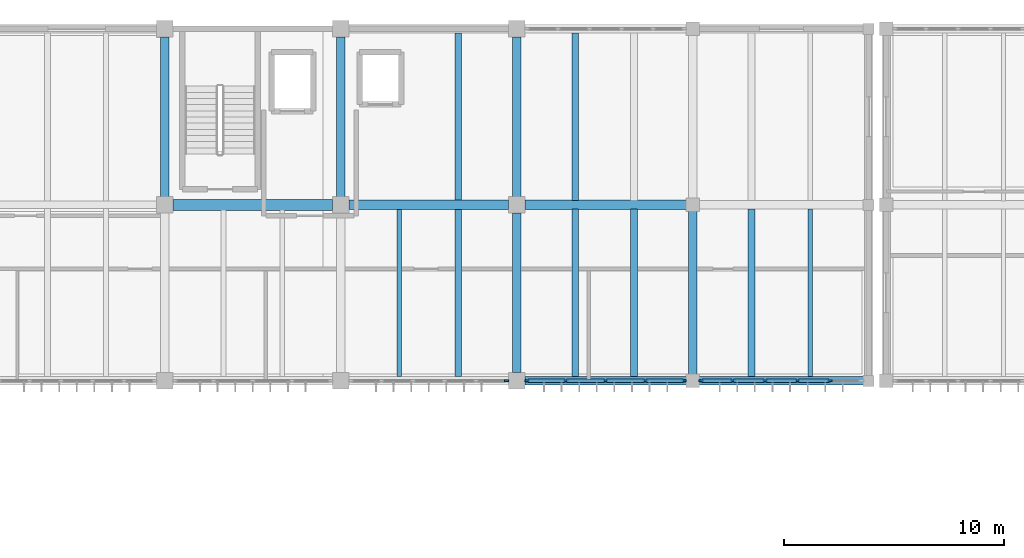
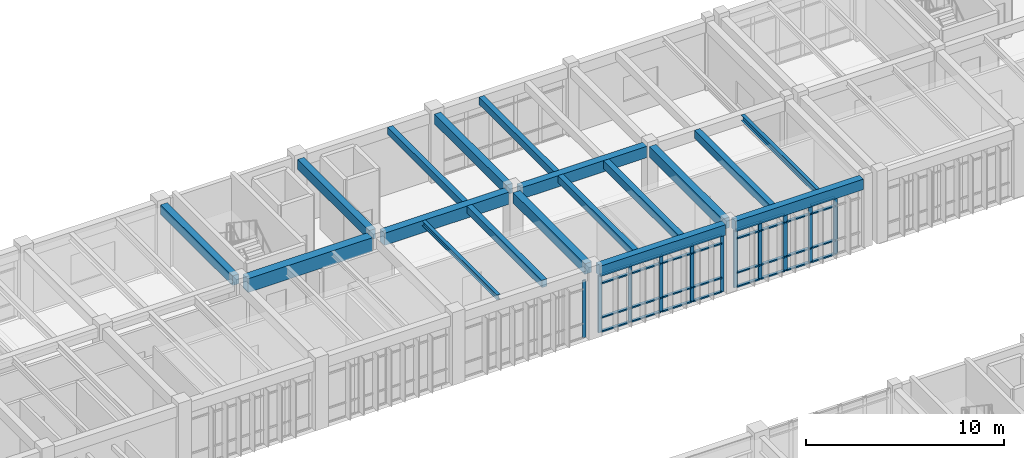
# One storey, part 25 of 79: 43 members, 18 beams, 3 elements without a shape of their own.
"""IFC4 building model written with IfcOpenShell, lengths in metres."""

from ifc_helpers import new_model, si_unit, direction, frame, origin, origin_2d, place, context, subcontext, project, spatial, rectangle, i_section, extrude, material, material_profile, profile_set, type_object, element, aggregate, save


model = new_model("IFC4")

# Units and contexts
model_context = context("Model", 3, precision=1e-05, world=origin(), true_north=direction((0.0, 1.0)))
body_context = subcontext(model_context, "Body", "Model", "MODEL_VIEW")
ifc_project = project(units=[si_unit("LENGTHUNIT", "METRE"), si_unit("AREAUNIT", "SQUARE_METRE"), si_unit("VOLUMEUNIT", "CUBIC_METRE"), si_unit("PLANEANGLEUNIT", "RADIAN"), si_unit("MASSUNIT", "GRAM", prefix="KILO")], contexts=[model_context])

# Site, building, storey
site_placement = place(None, origin())
site = spatial("IfcSite", under=ifc_project, at=site_placement, CompositionType="ELEMENT")
building_placement = place(site_placement, origin())
building = spatial("IfcBuilding", under=site, at=building_placement, Name="Tlaxcora Railside Police Headquarters", CompositionType="ELEMENT")
storey_placement = place(building_placement, frame((0.0, 0.0, 9.0)))
storey = spatial("IfcBuildingStorey", under=building, at=storey_placement, Name="L02", CompositionType="ELEMENT", Elevation=9.0)

# Curtain wall, members
ifc_material_1 = material(Name="Thermally broken low-E insulated glazing", Category="glass")
curtain_wall_type_1 = type_object("IfcCurtainWallType", Name="Unitised Curtain Wall Assembly CW-23", PredefinedType="NOTDEFINED", material=ifc_material_1)
curtain_wall_1_placement = place(storey_placement, origin())
curtain_wall_1 = element("IfcCurtainWall", 1, at=curtain_wall_1_placement, inside=storey, type_object=curtain_wall_type_1, Name="V5 L02 curtain wall 60", PredefinedType="NOTDEFINED")
ifc_material_2 = material(Name="Anodised aluminium framing", Category="aluminium")
ifc_material_profile_1 = material_profile(ifc_material_2, rectangle(XDim=0.080078125, YDim=0.219970703125, at=origin_2d()), Name="AL80X220")
ifc_profile_set_1 = profile_set([ifc_material_profile_1], Name="Anodised aluminium framing")
member_type_1 = type_object("IfcMemberType", Name="Curtain Wall Mullion CW-31", PredefinedType="MULLION", material=ifc_profile_set_1)
member_1_placement = place(storey_placement, frame((94.389892578125, 76.800048828125, 0.0), z_axis=(0.0, 0.0, 1.0), x_axis=(0.0, 1.0, 0.0)))
member_1 = element("IfcMember", 2, at=member_1_placement, type_object=member_type_1, Name="CW mullion 1", PredefinedType="MULLION", context=body_context, shape_type="SweptSolid", body=[
    extrude(rectangle(XDim=0.080078125, YDim=0.219970703125, at=origin_2d()), origin(), (0.0, 0.0, 1.0), 3.550048828125),
])
member_2_placement = place(storey_placement, frame((95.820068359375, 76.800048828125, 0.0), z_axis=(0.0, 0.0, 1.0), x_axis=(0.0, 1.0, 0.0)))
member_2 = element("IfcMember", 3, at=member_2_placement, type_object=member_type_1, Name="CW mullion 2", PredefinedType="MULLION", context=body_context, shape_type="SweptSolid", body=[
    extrude(rectangle(XDim=0.080078125, YDim=0.219970703125, at=origin_2d()), origin(), (0.0, 0.0, 1.0), 3.550048828125),
])
member_3_placement = place(storey_placement, frame((97.2900390625, 76.800048828125, 0.0), z_axis=(0.0, 0.0, 1.0), x_axis=(0.0, 1.0, 0.0)))
member_3 = element("IfcMember", 4, at=member_3_placement, type_object=member_type_1, Name="CW mullion 3", PredefinedType="MULLION", context=body_context, shape_type="SweptSolid", body=[
    extrude(rectangle(XDim=0.080078125, YDim=0.219970703125, at=origin_2d()), origin(), (0.0, 0.0, 1.0), 3.550048828125),
])
member_4_placement = place(storey_placement, frame((98.760009765625, 76.800048828125, 0.0), z_axis=(0.0, 0.0, 1.0), x_axis=(0.0, 1.0, 0.0)))
member_4 = element("IfcMember", 5, at=member_4_placement, type_object=member_type_1, Name="CW mullion 4", PredefinedType="MULLION", context=body_context, shape_type="SweptSolid", body=[
    extrude(rectangle(XDim=0.080078125, YDim=0.219970703125, at=origin_2d()), origin(), (0.0, 0.0, 1.0), 3.550048828125),
])
member_5_placement = place(storey_placement, frame((100.22998046875, 76.800048828125, 0.0), z_axis=(0.0, 0.0, 1.0), x_axis=(0.0, 1.0, 0.0)))
member_5 = element("IfcMember", 6, at=member_5_placement, type_object=member_type_1, Name="CW mullion 5", PredefinedType="MULLION", context=body_context, shape_type="SweptSolid", body=[
    extrude(rectangle(XDim=0.080078125, YDim=0.219970703125, at=origin_2d()), origin(), (0.0, 0.0, 1.0), 3.550048828125),
])

# Curtain wall, member
curtain_wall_type_2 = type_object("IfcCurtainWallType", Name="Unitised Curtain Wall Assembly CW-15", PredefinedType="NOTDEFINED", material=ifc_material_1)
curtain_wall_2_placement = place(storey_placement, origin())
curtain_wall_2 = element("IfcCurtainWall", 7, at=curtain_wall_2_placement, inside=storey, type_object=curtain_wall_type_2, Name="V5 L02 curtain wall 58", PredefinedType="NOTDEFINED")
ifc_material_profile_2 = material_profile(ifc_material_2, rectangle(XDim=0.074951171875, YDim=0.199951171875, at=origin_2d()), Name="AL75X200")
ifc_profile_set_2 = profile_set([ifc_material_profile_2], Name="Anodised aluminium framing")
member_type_2 = type_object("IfcMemberType", Name="Curtain Wall Mullion CW-58", PredefinedType="MULLION", material=ifc_profile_set_2)
member_6_placement = place(storey_placement, frame((85.53759765625, 76.800048828125, 0.0), z_axis=(0.0, 0.0, 1.0), x_axis=(0.0, 1.0, 0.0)))
member_6 = element("IfcMember", 8, at=member_6_placement, type_object=member_type_2, Name="CW mullion 6", PredefinedType="MULLION", context=body_context, shape_type="SweptSolid", body=[
    extrude(rectangle(XDim=0.074951171875, YDim=0.199951171875, at=origin_2d()), origin(), (0.0, 0.0, 1.0), 3.550048828125),
])
aggregate(curtain_wall_2, [member_6])

# Curtain wall, members
curtain_wall_type_3 = type_object("IfcCurtainWallType", Name="Unitised Curtain Wall Assembly CW-83", PredefinedType="NOTDEFINED", material=ifc_material_1)
curtain_wall_3_placement = place(storey_placement, origin())
curtain_wall_3 = element("IfcCurtainWall", 9, at=curtain_wall_3_placement, inside=storey, type_object=curtain_wall_type_3, Name="V5 L02 curtain wall 59", PredefinedType="NOTDEFINED")
ifc_material_profile_3 = material_profile(ifc_material_2, rectangle(XDim=0.080078125, YDim=0.2099609375, at=origin_2d()), Name="AL80X210")
ifc_profile_set_3 = profile_set([ifc_material_profile_3], Name="Anodised aluminium framing")
member_type_3 = type_object("IfcMemberType", Name="Curtain Wall Mullion CW-76", PredefinedType="MULLION", material=ifc_profile_set_3)
member_7_placement = place(storey_placement, frame((86.465087890625, 76.800048828125, 0.0), z_axis=(0.0, 0.0, 1.0), x_axis=(0.0, 1.0, 0.0)))
member_7 = element("IfcMember", 10, at=member_7_placement, type_object=member_type_3, Name="CW mullion 1", PredefinedType="MULLION", context=body_context, shape_type="SweptSolid", body=[
    extrude(rectangle(XDim=0.080078125, YDim=0.2099609375, at=origin_2d()), origin(), (0.0, 0.0, 1.0), 3.550048828125),
])
member_8_placement = place(storey_placement, frame((88.231201171875, 76.800048828125, 0.0), z_axis=(0.0, 0.0, 1.0), x_axis=(0.0, 1.0, 0.0)))
member_8 = element("IfcMember", 11, at=member_8_placement, type_object=member_type_3, Name="CW mullion 2", PredefinedType="MULLION", context=body_context, shape_type="SweptSolid", body=[
    extrude(rectangle(XDim=0.080078125, YDim=0.2099609375, at=origin_2d()), origin(), (0.0, 0.0, 1.0), 3.550048828125),
])
member_9_placement = place(storey_placement, frame((90.03759765625, 76.800048828125, 0.0), z_axis=(0.0, 0.0, 1.0), x_axis=(0.0, 1.0, 0.0)))
member_9 = element("IfcMember", 12, at=member_9_placement, type_object=member_type_3, Name="CW mullion 3", PredefinedType="MULLION", context=body_context, shape_type="SweptSolid", body=[
    extrude(rectangle(XDim=0.080078125, YDim=0.2099609375, at=origin_2d()), origin(), (0.0, 0.0, 1.0), 3.550048828125),
])
member_10_placement = place(storey_placement, frame((91.84375, 76.800048828125, 0.0), z_axis=(0.0, 0.0, 1.0), x_axis=(0.0, 1.0, 0.0)))
member_10 = element("IfcMember", 13, at=member_10_placement, type_object=member_type_3, Name="CW mullion 4", PredefinedType="MULLION", context=body_context, shape_type="SweptSolid", body=[
    extrude(rectangle(XDim=0.080078125, YDim=0.2099609375, at=origin_2d()), origin(), (0.0, 0.0, 1.0), 3.550048828125),
])
member_11_placement = place(storey_placement, frame((93.610107421875, 76.800048828125, 0.0), z_axis=(0.0, 0.0, 1.0), x_axis=(0.0, 1.0, 0.0)))
member_11 = element("IfcMember", 14, at=member_11_placement, type_object=member_type_3, Name="CW mullion 5", PredefinedType="MULLION", context=body_context, shape_type="SweptSolid", body=[
    extrude(rectangle(XDim=0.080078125, YDim=0.2099609375, at=origin_2d()), origin(), (0.0, 0.0, 1.0), 3.550048828125),
])

# Member
ifc_material_profile_4 = material_profile(ifc_material_2, rectangle(XDim=0.1650390625, YDim=0.080078125, at=origin_2d()), Name="AL80X165")
ifc_profile_set_4 = profile_set([ifc_material_profile_4], Name="Anodised aluminium framing")
member_type_4 = type_object("IfcMemberType", Name="Curtain Wall Transom CW-62", PredefinedType="USERDEFINED", material=ifc_profile_set_4)
member_12_placement = place(storey_placement, frame((94.429931640625, 76.800048828125, 0.0400390625), z_axis=(1.0, 0.0, 0.0), x_axis=(0.0, 1.0, 0.0)))
member_12 = element("IfcMember", 15, at=member_12_placement, type_object=member_type_4, Name="CW transom 1.1", ObjectType="TRANSOM", PredefinedType="USERDEFINED", context=body_context, shape_type="SweptSolid", body=[
    extrude(rectangle(XDim=0.1650390625, YDim=0.080078125, at=origin_2d()), origin(), (0.0, 0.0, 1.0), 1.35009765625),
])

member_13_placement = place(storey_placement, frame((94.429931640625, 76.800048828125, 0.89990234375), z_axis=(1.0, 0.0, 0.0), x_axis=(0.0, 1.0, 0.0)))
member_13 = element("IfcMember", 16, at=member_13_placement, type_object=member_type_4, Name="CW transom 1.2", ObjectType="TRANSOM", PredefinedType="USERDEFINED", context=body_context, shape_type="SweptSolid", body=[
    extrude(rectangle(XDim=0.1650390625, YDim=0.080078125, at=origin_2d()), origin(), (0.0, 0.0, 1.0), 1.35009765625),
])

member_14_placement = place(storey_placement, frame((94.429931640625, 76.800048828125, 3.02001953125), z_axis=(1.0, 0.0, 0.0), x_axis=(0.0, 1.0, 0.0)))
member_14 = element("IfcMember", 17, at=member_14_placement, type_object=member_type_4, Name="CW transom 1.3", ObjectType="TRANSOM", PredefinedType="USERDEFINED", context=body_context, shape_type="SweptSolid", body=[
    extrude(rectangle(XDim=0.1650390625, YDim=0.080078125, at=origin_2d()), origin(), (0.0, 0.0, 1.0), 1.35009765625),
])

member_15_placement = place(storey_placement, frame((94.429931640625, 76.800048828125, 3.510009765625), z_axis=(1.0, 0.0, 0.0), x_axis=(0.0, 1.0, 0.0)))
member_15 = element("IfcMember", 18, at=member_15_placement, type_object=member_type_4, Name="CW transom 1.4", ObjectType="TRANSOM", PredefinedType="USERDEFINED", context=body_context, shape_type="SweptSolid", body=[
    extrude(rectangle(XDim=0.1650390625, YDim=0.080078125, at=origin_2d()), origin(), (0.0, 0.0, 1.0), 1.35009765625),
])

member_16_placement = place(storey_placement, frame((95.860107421875, 76.800048828125, 0.0400390625), z_axis=(1.0, 0.0, 0.0), x_axis=(0.0, 1.0, 0.0)))
member_16 = element("IfcMember", 19, at=member_16_placement, type_object=member_type_4, Name="CW transom 2.1", ObjectType="TRANSOM", PredefinedType="USERDEFINED", context=body_context, shape_type="SweptSolid", body=[
    extrude(rectangle(XDim=0.1650390625, YDim=0.080078125, at=origin_2d()), origin(), (0.0, 0.0, 1.0), 1.389892578125),
])

member_17_placement = place(storey_placement, frame((95.860107421875, 76.800048828125, 0.89990234375), z_axis=(1.0, 0.0, 0.0), x_axis=(0.0, 1.0, 0.0)))
member_17 = element("IfcMember", 20, at=member_17_placement, type_object=member_type_4, Name="CW transom 2.2", ObjectType="TRANSOM", PredefinedType="USERDEFINED", context=body_context, shape_type="SweptSolid", body=[
    extrude(rectangle(XDim=0.1650390625, YDim=0.080078125, at=origin_2d()), origin(), (0.0, 0.0, 1.0), 1.389892578125),
])

member_18_placement = place(storey_placement, frame((95.860107421875, 76.800048828125, 3.02001953125), z_axis=(1.0, 0.0, 0.0), x_axis=(0.0, 1.0, 0.0)))
member_18 = element("IfcMember", 21, at=member_18_placement, type_object=member_type_4, Name="CW transom 2.3", ObjectType="TRANSOM", PredefinedType="USERDEFINED", context=body_context, shape_type="SweptSolid", body=[
    extrude(rectangle(XDim=0.1650390625, YDim=0.080078125, at=origin_2d()), origin(), (0.0, 0.0, 1.0), 1.389892578125),
])

member_19_placement = place(storey_placement, frame((95.860107421875, 76.800048828125, 3.510009765625), z_axis=(1.0, 0.0, 0.0), x_axis=(0.0, 1.0, 0.0)))
member_19 = element("IfcMember", 22, at=member_19_placement, type_object=member_type_4, Name="CW transom 2.4", ObjectType="TRANSOM", PredefinedType="USERDEFINED", context=body_context, shape_type="SweptSolid", body=[
    extrude(rectangle(XDim=0.1650390625, YDim=0.080078125, at=origin_2d()), origin(), (0.0, 0.0, 1.0), 1.389892578125),
])

member_20_placement = place(storey_placement, frame((97.330078125, 76.800048828125, 0.0400390625), z_axis=(1.0, 0.0, 0.0), x_axis=(0.0, 1.0, 0.0)))
member_20 = element("IfcMember", 23, at=member_20_placement, type_object=member_type_4, Name="CW transom 3.1", ObjectType="TRANSOM", PredefinedType="USERDEFINED", context=body_context, shape_type="SweptSolid", body=[
    extrude(rectangle(XDim=0.1650390625, YDim=0.080078125, at=origin_2d()), origin(), (0.0, 0.0, 1.0), 1.389892578125),
])

member_21_placement = place(storey_placement, frame((97.330078125, 76.800048828125, 0.89990234375), z_axis=(1.0, 0.0, 0.0), x_axis=(0.0, 1.0, 0.0)))
member_21 = element("IfcMember", 24, at=member_21_placement, type_object=member_type_4, Name="CW transom 3.2", ObjectType="TRANSOM", PredefinedType="USERDEFINED", context=body_context, shape_type="SweptSolid", body=[
    extrude(rectangle(XDim=0.1650390625, YDim=0.080078125, at=origin_2d()), origin(), (0.0, 0.0, 1.0), 1.389892578125),
])

member_22_placement = place(storey_placement, frame((97.330078125, 76.800048828125, 3.02001953125), z_axis=(1.0, 0.0, 0.0), x_axis=(0.0, 1.0, 0.0)))
member_22 = element("IfcMember", 25, at=member_22_placement, type_object=member_type_4, Name="CW transom 3.3", ObjectType="TRANSOM", PredefinedType="USERDEFINED", context=body_context, shape_type="SweptSolid", body=[
    extrude(rectangle(XDim=0.1650390625, YDim=0.080078125, at=origin_2d()), origin(), (0.0, 0.0, 1.0), 1.389892578125),
])

member_23_placement = place(storey_placement, frame((97.330078125, 76.800048828125, 3.510009765625), z_axis=(1.0, 0.0, 0.0), x_axis=(0.0, 1.0, 0.0)))
member_23 = element("IfcMember", 26, at=member_23_placement, type_object=member_type_4, Name="CW transom 3.4", ObjectType="TRANSOM", PredefinedType="USERDEFINED", context=body_context, shape_type="SweptSolid", body=[
    extrude(rectangle(XDim=0.1650390625, YDim=0.080078125, at=origin_2d()), origin(), (0.0, 0.0, 1.0), 1.389892578125),
])

member_24_placement = place(storey_placement, frame((98.800048828125, 76.800048828125, 0.0400390625), z_axis=(1.0, 0.0, 0.0), x_axis=(0.0, 1.0, 0.0)))
member_24 = element("IfcMember", 27, at=member_24_placement, type_object=member_type_4, Name="CW transom 4.1", ObjectType="TRANSOM", PredefinedType="USERDEFINED", context=body_context, shape_type="SweptSolid", body=[
    extrude(rectangle(XDim=0.1650390625, YDim=0.080078125, at=origin_2d()), origin(), (0.0, 0.0, 1.0), 1.389892578125),
])

member_25_placement = place(storey_placement, frame((98.800048828125, 76.800048828125, 0.89990234375), z_axis=(1.0, 0.0, 0.0), x_axis=(0.0, 1.0, 0.0)))
member_25 = element("IfcMember", 28, at=member_25_placement, type_object=member_type_4, Name="CW transom 4.2", ObjectType="TRANSOM", PredefinedType="USERDEFINED", context=body_context, shape_type="SweptSolid", body=[
    extrude(rectangle(XDim=0.1650390625, YDim=0.080078125, at=origin_2d()), origin(), (0.0, 0.0, 1.0), 1.389892578125),
])

member_26_placement = place(storey_placement, frame((98.800048828125, 76.800048828125, 3.02001953125), z_axis=(1.0, 0.0, 0.0), x_axis=(0.0, 1.0, 0.0)))
member_26 = element("IfcMember", 29, at=member_26_placement, type_object=member_type_4, Name="CW transom 4.3", ObjectType="TRANSOM", PredefinedType="USERDEFINED", context=body_context, shape_type="SweptSolid", body=[
    extrude(rectangle(XDim=0.1650390625, YDim=0.080078125, at=origin_2d()), origin(), (0.0, 0.0, 1.0), 1.389892578125),
])

member_27_placement = place(storey_placement, frame((98.800048828125, 76.800048828125, 3.510009765625), z_axis=(1.0, 0.0, 0.0), x_axis=(0.0, 1.0, 0.0)))
member_27 = element("IfcMember", 30, at=member_27_placement, type_object=member_type_4, Name="CW transom 4.4", ObjectType="TRANSOM", PredefinedType="USERDEFINED", context=body_context, shape_type="SweptSolid", body=[
    extrude(rectangle(XDim=0.1650390625, YDim=0.080078125, at=origin_2d()), origin(), (0.0, 0.0, 1.0), 1.389892578125),
])

aggregate(curtain_wall_1, [member_1, member_2, member_3, member_4, member_5, member_12, member_13, member_14, member_15, member_16, member_17, member_18, member_19, member_20, member_21, member_22, member_23, member_24, member_25, member_26, member_27])

ifc_material_profile_5 = material_profile(ifc_material_2, rectangle(XDim=0.159912109375, YDim=0.080078125, at=origin_2d()), Name="AL80X160")
ifc_profile_set_5 = profile_set([ifc_material_profile_5], Name="Anodised aluminium framing")
member_type_5 = type_object("IfcMemberType", Name="Curtain Wall Transom CW-82", PredefinedType="USERDEFINED", material=ifc_profile_set_5)
member_28_placement = place(storey_placement, frame((86.5048828125, 76.800048828125, 0.0400390625), z_axis=(1.0, 0.0, 0.0), x_axis=(0.0, 1.0, 0.0)))
member_28 = element("IfcMember", 31, at=member_28_placement, type_object=member_type_5, Name="CW transom 1.1", ObjectType="TRANSOM", PredefinedType="USERDEFINED", context=body_context, shape_type="SweptSolid", body=[
    extrude(rectangle(XDim=0.159912109375, YDim=0.080078125, at=origin_2d()), origin(), (0.0, 0.0, 1.0), 1.686279296875),
])

member_29_placement = place(storey_placement, frame((86.5048828125, 76.800048828125, 0.89990234375), z_axis=(1.0, 0.0, 0.0), x_axis=(0.0, 1.0, 0.0)))
member_29 = element("IfcMember", 32, at=member_29_placement, type_object=member_type_5, Name="CW transom 1.2", ObjectType="TRANSOM", PredefinedType="USERDEFINED", context=body_context, shape_type="SweptSolid", body=[
    extrude(rectangle(XDim=0.159912109375, YDim=0.080078125, at=origin_2d()), origin(), (0.0, 0.0, 1.0), 1.686279296875),
])

member_30_placement = place(storey_placement, frame((86.5048828125, 76.800048828125, 3.02001953125), z_axis=(1.0, 0.0, 0.0), x_axis=(0.0, 1.0, 0.0)))
member_30 = element("IfcMember", 33, at=member_30_placement, type_object=member_type_5, Name="CW transom 1.3", ObjectType="TRANSOM", PredefinedType="USERDEFINED", context=body_context, shape_type="SweptSolid", body=[
    extrude(rectangle(XDim=0.159912109375, YDim=0.080078125, at=origin_2d()), origin(), (0.0, 0.0, 1.0), 1.686279296875),
])

member_31_placement = place(storey_placement, frame((86.5048828125, 76.800048828125, 3.510009765625), z_axis=(1.0, 0.0, 0.0), x_axis=(0.0, 1.0, 0.0)))
member_31 = element("IfcMember", 34, at=member_31_placement, type_object=member_type_5, Name="CW transom 1.4", ObjectType="TRANSOM", PredefinedType="USERDEFINED", context=body_context, shape_type="SweptSolid", body=[
    extrude(rectangle(XDim=0.159912109375, YDim=0.080078125, at=origin_2d()), origin(), (0.0, 0.0, 1.0), 1.686279296875),
])

member_32_placement = place(storey_placement, frame((88.271240234375, 76.800048828125, 0.0400390625), z_axis=(1.0, 0.0, 0.0), x_axis=(0.0, 1.0, 0.0)))
member_32 = element("IfcMember", 35, at=member_32_placement, type_object=member_type_5, Name="CW transom 2.1", ObjectType="TRANSOM", PredefinedType="USERDEFINED", context=body_context, shape_type="SweptSolid", body=[
    extrude(rectangle(XDim=0.159912109375, YDim=0.080078125, at=origin_2d()), origin(), (0.0, 0.0, 1.0), 1.726318359375),
])

member_33_placement = place(storey_placement, frame((88.271240234375, 76.800048828125, 0.89990234375), z_axis=(1.0, 0.0, 0.0), x_axis=(0.0, 1.0, 0.0)))
member_33 = element("IfcMember", 36, at=member_33_placement, type_object=member_type_5, Name="CW transom 2.2", ObjectType="TRANSOM", PredefinedType="USERDEFINED", context=body_context, shape_type="SweptSolid", body=[
    extrude(rectangle(XDim=0.159912109375, YDim=0.080078125, at=origin_2d()), origin(), (0.0, 0.0, 1.0), 1.726318359375),
])

member_34_placement = place(storey_placement, frame((88.271240234375, 76.800048828125, 3.02001953125), z_axis=(1.0, 0.0, 0.0), x_axis=(0.0, 1.0, 0.0)))
member_34 = element("IfcMember", 37, at=member_34_placement, type_object=member_type_5, Name="CW transom 2.3", ObjectType="TRANSOM", PredefinedType="USERDEFINED", context=body_context, shape_type="SweptSolid", body=[
    extrude(rectangle(XDim=0.159912109375, YDim=0.080078125, at=origin_2d()), origin(), (0.0, 0.0, 1.0), 1.726318359375),
])

member_35_placement = place(storey_placement, frame((88.271240234375, 76.800048828125, 3.510009765625), z_axis=(1.0, 0.0, 0.0), x_axis=(0.0, 1.0, 0.0)))
member_35 = element("IfcMember", 38, at=member_35_placement, type_object=member_type_5, Name="CW transom 2.4", ObjectType="TRANSOM", PredefinedType="USERDEFINED", context=body_context, shape_type="SweptSolid", body=[
    extrude(rectangle(XDim=0.159912109375, YDim=0.080078125, at=origin_2d()), origin(), (0.0, 0.0, 1.0), 1.726318359375),
])

member_36_placement = place(storey_placement, frame((90.077392578125, 76.800048828125, 0.0400390625), z_axis=(1.0, 0.0, 0.0), x_axis=(0.0, 1.0, 0.0)))
member_36 = element("IfcMember", 39, at=member_36_placement, type_object=member_type_5, Name="CW transom 3.1", ObjectType="TRANSOM", PredefinedType="USERDEFINED", context=body_context, shape_type="SweptSolid", body=[
    extrude(rectangle(XDim=0.159912109375, YDim=0.080078125, at=origin_2d()), origin(), (0.0, 0.0, 1.0), 1.726318359375),
])

member_37_placement = place(storey_placement, frame((90.077392578125, 76.800048828125, 0.89990234375), z_axis=(1.0, 0.0, 0.0), x_axis=(0.0, 1.0, 0.0)))
member_37 = element("IfcMember", 40, at=member_37_placement, type_object=member_type_5, Name="CW transom 3.2", ObjectType="TRANSOM", PredefinedType="USERDEFINED", context=body_context, shape_type="SweptSolid", body=[
    extrude(rectangle(XDim=0.159912109375, YDim=0.080078125, at=origin_2d()), origin(), (0.0, 0.0, 1.0), 1.726318359375),
])

member_38_placement = place(storey_placement, frame((90.077392578125, 76.800048828125, 3.02001953125), z_axis=(1.0, 0.0, 0.0), x_axis=(0.0, 1.0, 0.0)))
member_38 = element("IfcMember", 41, at=member_38_placement, type_object=member_type_5, Name="CW transom 3.3", ObjectType="TRANSOM", PredefinedType="USERDEFINED", context=body_context, shape_type="SweptSolid", body=[
    extrude(rectangle(XDim=0.159912109375, YDim=0.080078125, at=origin_2d()), origin(), (0.0, 0.0, 1.0), 1.726318359375),
])

member_39_placement = place(storey_placement, frame((90.077392578125, 76.800048828125, 3.510009765625), z_axis=(1.0, 0.0, 0.0), x_axis=(0.0, 1.0, 0.0)))
member_39 = element("IfcMember", 42, at=member_39_placement, type_object=member_type_5, Name="CW transom 3.4", ObjectType="TRANSOM", PredefinedType="USERDEFINED", context=body_context, shape_type="SweptSolid", body=[
    extrude(rectangle(XDim=0.159912109375, YDim=0.080078125, at=origin_2d()), origin(), (0.0, 0.0, 1.0), 1.726318359375),
])

member_40_placement = place(storey_placement, frame((91.8837890625, 76.800048828125, 0.0400390625), z_axis=(1.0, 0.0, 0.0), x_axis=(0.0, 1.0, 0.0)))
member_40 = element("IfcMember", 43, at=member_40_placement, type_object=member_type_5, Name="CW transom 4.1", ObjectType="TRANSOM", PredefinedType="USERDEFINED", context=body_context, shape_type="SweptSolid", body=[
    extrude(rectangle(XDim=0.159912109375, YDim=0.080078125, at=origin_2d()), origin(), (0.0, 0.0, 1.0), 1.686279296875),
])

member_41_placement = place(storey_placement, frame((91.8837890625, 76.800048828125, 0.89990234375), z_axis=(1.0, 0.0, 0.0), x_axis=(0.0, 1.0, 0.0)))
member_41 = element("IfcMember", 44, at=member_41_placement, type_object=member_type_5, Name="CW transom 4.2", ObjectType="TRANSOM", PredefinedType="USERDEFINED", context=body_context, shape_type="SweptSolid", body=[
    extrude(rectangle(XDim=0.159912109375, YDim=0.080078125, at=origin_2d()), origin(), (0.0, 0.0, 1.0), 1.686279296875),
])

member_42_placement = place(storey_placement, frame((91.8837890625, 76.800048828125, 3.02001953125), z_axis=(1.0, 0.0, 0.0), x_axis=(0.0, 1.0, 0.0)))
member_42 = element("IfcMember", 45, at=member_42_placement, type_object=member_type_5, Name="CW transom 4.3", ObjectType="TRANSOM", PredefinedType="USERDEFINED", context=body_context, shape_type="SweptSolid", body=[
    extrude(rectangle(XDim=0.159912109375, YDim=0.080078125, at=origin_2d()), origin(), (0.0, 0.0, 1.0), 1.686279296875),
])

member_43_placement = place(storey_placement, frame((91.8837890625, 76.800048828125, 3.510009765625), z_axis=(1.0, 0.0, 0.0), x_axis=(0.0, 1.0, 0.0)))
member_43 = element("IfcMember", 46, at=member_43_placement, type_object=member_type_5, Name="CW transom 4.4", ObjectType="TRANSOM", PredefinedType="USERDEFINED", context=body_context, shape_type="SweptSolid", body=[
    extrude(rectangle(XDim=0.159912109375, YDim=0.080078125, at=origin_2d()), origin(), (0.0, 0.0, 1.0), 1.686279296875),
])

aggregate(curtain_wall_3, [member_7, member_8, member_9, member_10, member_11, member_28, member_29, member_30, member_31, member_32, member_33, member_34, member_35, member_36, member_37, member_38, member_39, member_40, member_41, member_42, member_43])

# Beams
ifc_material_3 = material(Name="Concrete C40/50", Category="concrete")
ifc_material_profile_6 = material_profile(ifc_material_3, rectangle(XDim=0.39990234375, YDim=0.64990234375, at=origin_2d()), Name="RC400X650")
ifc_profile_set_6 = profile_set([ifc_material_profile_6], Name="Concrete C40/50")
beam_type_1 = type_object("IfcBeamType", Name="Perimeter Spandrel Beam BM-46", PredefinedType="SPANDREL", material=ifc_profile_set_6)
beam_1_placement = place(storey_placement, frame((86.364990234375, 76.800048828125, 3.89501953125), z_axis=(1.0, 0.0, 0.0), x_axis=(0.0, 1.0, 0.0)))
element("IfcBeam", 47, at=beam_1_placement, inside=storey, type_object=beam_type_1, Name="V5 L02 X-girder Y=76.8", PredefinedType="SPANDREL", context=body_context, shape_type="SweptSolid", body=[
    extrude(rectangle(XDim=0.39990234375, YDim=0.64990234375, at=origin_2d()), origin(), (0.0, 0.0, 1.0), 7.344970703125),
])
beam_2_placement = place(storey_placement, frame((94.2900390625, 76.800048828125, 3.89501953125), z_axis=(1.0, 0.0, 0.0), x_axis=(0.0, 1.0, 0.0)))
element("IfcBeam", 48, at=beam_2_placement, inside=storey, type_object=beam_type_1, Name="V5 L02 X-girder Y=76.8", PredefinedType="SPANDREL", context=body_context, shape_type="SweptSolid", body=[
    extrude(rectangle(XDim=0.39990234375, YDim=0.64990234375, at=origin_2d()), origin(), (0.0, 0.0, 1.0), 7.469970703125),
])
ifc_material_profile_7 = material_profile(ifc_material_3, rectangle(XDim=0.3798828125, YDim=0.60009765625, at=origin_2d()), Name="RC380X600")
ifc_profile_set_7 = profile_set([ifc_material_profile_7], Name="Concrete C40/50")
beam_type_2 = type_object("IfcBeamType", Name="Primary Frame Girder BM-22", PredefinedType="BEAM", material=ifc_profile_set_7)
for number, where, z_axis, x_axis, name in (
    (49, (70.0, 85.1650390625, 3.919921875), (0.0, 1.0, 0.0), (-1.0, 0.0, 0.0), "V5 L02 Y-girder X=70.0"),
    (50, (78.0, 85.1650390625, 3.919921875), (0.0, 1.0, 0.0), (-1.0, 0.0, 0.0), "V5 L02 Y-girder X=78.0"),
    (51, (86.0, 85.1650390625, 3.919921875), (0.0, 1.0, 0.0), (-1.0, 0.0, 0.0), "V5 L02 Y-girder X=86.0"),
):
    element("IfcBeam", number, at=place(storey_placement, frame(where, z_axis=z_axis, x_axis=x_axis)), inside=storey, type_object=beam_type_2, Name=name, PredefinedType="BEAM", context=body_context, shape_type="SweptSolid", body=[
        extrude(rectangle(XDim=0.3798828125, YDim=0.60009765625, at=origin_2d()), origin(), (0.0, 0.0, 1.0), 7.27001953125),
    ])
ifc_material_profile_8 = material_profile(ifc_material_3, rectangle(XDim=0.419921875, YDim=0.699951171875, at=origin_2d()), Name="RC420X700")
ifc_profile_set_8 = profile_set([ifc_material_profile_8], Name="Concrete C40/50")
beam_type_3 = type_object("IfcBeamType", Name="Primary Frame Girder BM-35", PredefinedType="BEAM", material=ifc_profile_set_8)
beam_3_placement = place(storey_placement, frame((86.364990234375, 84.800048828125, 3.8701171875), z_axis=(1.0, 0.0, 0.0), x_axis=(0.0, 1.0, 0.0)))
element("IfcBeam", 52, at=beam_3_placement, inside=storey, type_object=beam_type_3, Name="V5 L02 X-girder Y=84.8", PredefinedType="BEAM", context=body_context, shape_type="SweptSolid", body=[
    extrude(rectangle(XDim=0.419921875, YDim=0.699951171875, at=origin_2d()), origin(), (0.0, 0.0, 1.0), 7.344970703125),
])
ifc_material_profile_9 = material_profile(ifc_material_3, rectangle(XDim=0.39990234375, YDim=0.64990234375, at=origin_2d()), Name="RC400X650")
ifc_profile_set_9 = profile_set([ifc_material_profile_9], Name="Concrete C40/50")
beam_type_4 = type_object("IfcBeamType", Name="Primary Frame Girder BM-41", PredefinedType="BEAM", material=ifc_profile_set_9)
beam_4_placement = place(storey_placement, frame((86.0, 77.1650390625, 3.89501953125), z_axis=(0.0, 1.0, 0.0), x_axis=(-1.0, 0.0, 0.0)))
element("IfcBeam", 53, at=beam_4_placement, inside=storey, type_object=beam_type_4, Name="V5 L02 Y-girder X=86.0", PredefinedType="BEAM", context=body_context, shape_type="SweptSolid", body=[
    extrude(rectangle(XDim=0.39990234375, YDim=0.64990234375, at=origin_2d()), origin(), (0.0, 0.0, 1.0), 7.27001953125),
])
beam_5_placement = place(storey_placement, frame((94.0, 77.090087890625, 3.89501953125), z_axis=(0.0, 1.0, 0.0), x_axis=(-1.0, 0.0, 0.0)))
element("IfcBeam", 54, at=beam_5_placement, inside=storey, type_object=beam_type_4, Name="V5 L02 Y-girder X=94.0", PredefinedType="BEAM", context=body_context, shape_type="SweptSolid", body=[
    extrude(rectangle(XDim=0.39990234375, YDim=0.64990234375, at=origin_2d()), origin(), (0.0, 0.0, 1.0), 7.419921875),
])
ifc_material_profile_10 = material_profile(ifc_material_3, rectangle(XDim=0.5, YDim=0.85009765625, at=origin_2d()), Name="RC500X850")
ifc_profile_set_10 = profile_set([ifc_material_profile_10], Name="Concrete C40/50")
beam_type_5 = type_object("IfcBeamType", Name="Primary Frame Girder BM-64", PredefinedType="BEAM", material=ifc_profile_set_10)
beam_6_placement = place(storey_placement, frame((70.364990234375, 84.800048828125, 3.794921875), z_axis=(1.0, 0.0, 0.0), x_axis=(0.0, 1.0, 0.0)))
element("IfcBeam", 55, at=beam_6_placement, inside=storey, type_object=beam_type_5, Name="V5 L02 X-girder Y=84.8", PredefinedType="BEAM", context=body_context, shape_type="SweptSolid", body=[
    extrude(rectangle(XDim=0.5, YDim=0.85009765625, at=origin_2d()), origin(), (0.0, 0.0, 1.0), 7.27001953125),
])
ifc_material_profile_11 = material_profile(ifc_material_3, rectangle(XDim=0.449951171875, YDim=0.75, at=origin_2d()), Name="RC450X750")
ifc_profile_set_11 = profile_set([ifc_material_profile_11], Name="Concrete C40/50")
beam_type_6 = type_object("IfcBeamType", Name="Primary Frame Girder BM-73", PredefinedType="BEAM", material=ifc_profile_set_11)
beam_7_placement = place(storey_placement, frame((78.364990234375, 84.800048828125, 3.844970703125), z_axis=(1.0, 0.0, 0.0), x_axis=(0.0, 1.0, 0.0)))
element("IfcBeam", 56, at=beam_7_placement, inside=storey, type_object=beam_type_6, Name="V5 L02 X-girder Y=84.8", PredefinedType="BEAM", context=body_context, shape_type="SweptSolid", body=[
    extrude(rectangle(XDim=0.449951171875, YDim=0.75, at=origin_2d()), origin(), (0.0, 0.0, 1.0), 7.27001953125),
])
ifc_material_4 = material(Name="Concrete C35/45", Category="concrete")
ifc_material_profile_12 = material_profile(ifc_material_4, rectangle(XDim=0.300048828125, YDim=0.449951171875, at=origin_2d()), Name="RC300X450")
ifc_profile_set_12 = profile_set([ifc_material_profile_12], Name="Concrete C35/45")
beam_type_7 = type_object("IfcBeamType", Name="Secondary Floor Joist BM-27", PredefinedType="JOIST", material=ifc_profile_set_12)
beam_8_placement = place(storey_placement, frame((83.333251953125, 76.991943359375, 3.9951171875), z_axis=(0.0, 1.0, 0.0), x_axis=(-1.0, 0.0, 0.0)))
element("IfcBeam", 57, at=beam_8_placement, inside=storey, type_object=beam_type_7, Name="V5 L02 floor joist X=83.33", PredefinedType="JOIST", context=body_context, shape_type="SweptSolid", body=[
    extrude(rectangle(XDim=0.300048828125, YDim=0.449951171875, at=origin_2d()), origin(), (0.0, 0.0, 1.0), 7.591064453125),
])
beam_9_placement = place(storey_placement, frame((88.666748046875, 76.991943359375, 3.9951171875), z_axis=(0.0, 1.0, 0.0), x_axis=(-1.0, 0.0, 0.0)))
element("IfcBeam", 58, at=beam_9_placement, inside=storey, type_object=beam_type_7, Name="V5 L02 floor joist X=88.67", PredefinedType="JOIST", context=body_context, shape_type="SweptSolid", body=[
    extrude(rectangle(XDim=0.300048828125, YDim=0.449951171875, at=origin_2d()), origin(), (0.0, 0.0, 1.0), 7.60595703125),
])
beam_10_placement = place(storey_placement, frame((83.333251953125, 85.01708984375, 3.9951171875), z_axis=(0.0, 1.0, 0.0), x_axis=(-1.0, 0.0, 0.0)))
element("IfcBeam", 59, at=beam_10_placement, inside=storey, type_object=beam_type_7, Name="V5 L02 floor joist X=83.33", PredefinedType="JOIST", context=body_context, shape_type="SweptSolid", body=[
    extrude(rectangle(XDim=0.300048828125, YDim=0.449951171875, at=origin_2d()), origin(), (0.0, 0.0, 1.0), 7.5908203125),
])
beam_11_placement = place(storey_placement, frame((88.666748046875, 85.001953125, 3.9951171875), z_axis=(0.0, 1.0, 0.0), x_axis=(-1.0, 0.0, 0.0)))
element("IfcBeam", 60, at=beam_11_placement, inside=storey, type_object=beam_type_7, Name="V5 L02 floor joist X=88.67", PredefinedType="JOIST", context=body_context, shape_type="SweptSolid", body=[
    extrude(rectangle(XDim=0.300048828125, YDim=0.449951171875, at=origin_2d()), origin(), (0.0, 0.0, 1.0), 7.60595703125),
])
ifc_material_5 = material(Name="Steel ASTM A992 Grade 50", Category="steel")
ifc_material_profile_13 = material_profile(ifc_material_5, i_section(OverallWidth=0.2041015625, OverallDepth=0.35009765625, WebThickness=0.008544921875, FlangeThickness=0.01513671875, at=origin_2d()), Name="W14X48")
ifc_profile_set_13 = profile_set([ifc_material_profile_13], Name="Steel ASTM A992 Grade 50")
beam_type_8 = type_object("IfcBeamType", Name="Secondary Floor Joist BM-65", PredefinedType="JOIST", material=ifc_profile_set_13)
beam_12_placement = place(storey_placement, frame((99.333251953125, 76.991943359375, 4.044921875), z_axis=(0.0, 1.0, 0.0), x_axis=(-1.0, 0.0, 0.0)))
element("IfcBeam", 61, at=beam_12_placement, inside=storey, type_object=beam_type_8, Name="V5 L02 floor joist X=99.33", PredefinedType="JOIST", context=body_context, shape_type="SweptSolid", body=[
    extrude(i_section(OverallWidth=0.2041015625, OverallDepth=0.35009765625, WebThickness=0.008544921875, FlangeThickness=0.01513671875, at=origin_2d()), origin(), (0.0, 0.0, 1.0), 7.615966796875),
])
ifc_material_profile_14 = material_profile(ifc_material_4, rectangle(XDim=0.320068359375, YDim=0.5, at=origin_2d()), Name="RC320X500")
ifc_profile_set_14 = profile_set([ifc_material_profile_14], Name="Concrete C35/45")
beam_type_9 = type_object("IfcBeamType", Name="Secondary Floor Joist BM-88", PredefinedType="JOIST", material=ifc_profile_set_14)
beam_13_placement = place(storey_placement, frame((91.333251953125, 76.991943359375, 3.969970703125), z_axis=(0.0, 1.0, 0.0), x_axis=(-1.0, 0.0, 0.0)))
element("IfcBeam", 62, at=beam_13_placement, inside=storey, type_object=beam_type_9, Name="V5 L02 floor joist X=91.33", PredefinedType="JOIST", context=body_context, shape_type="SweptSolid", body=[
    extrude(rectangle(XDim=0.320068359375, YDim=0.5, at=origin_2d()), origin(), (0.0, 0.0, 1.0), 7.60595703125),
])
beam_14_placement = place(storey_placement, frame((96.666748046875, 76.991943359375, 3.969970703125), z_axis=(0.0, 1.0, 0.0), x_axis=(-1.0, 0.0, 0.0)))
element("IfcBeam", 63, at=beam_14_placement, inside=storey, type_object=beam_type_9, Name="V5 L02 floor joist X=96.67", PredefinedType="JOIST", context=body_context, shape_type="SweptSolid", body=[
    extrude(rectangle(XDim=0.320068359375, YDim=0.5, at=origin_2d()), origin(), (0.0, 0.0, 1.0), 7.615966796875),
])
ifc_material_profile_15 = material_profile(ifc_material_5, i_section(OverallWidth=0.202880859375, OverallDepth=0.302978515625, WebThickness=0.007568359375, FlangeThickness=0.01318359375, at=origin_2d()), Name="W12X40")
ifc_profile_set_15 = profile_set([ifc_material_profile_15], Name="Steel ASTM A992 Grade 50")
beam_type_10 = type_object("IfcBeamType", Name="Secondary Floor Joist BM-96", PredefinedType="JOIST", material=ifc_profile_set_15)
beam_15_placement = place(storey_placement, frame((80.666748046875, 76.991943359375, 4.068603515625), z_axis=(0.0, 1.0, 0.0), x_axis=(-1.0, 0.0, 0.0)))
element("IfcBeam", 64, at=beam_15_placement, inside=storey, type_object=beam_type_10, Name="V5 L02 floor joist X=80.67", PredefinedType="JOIST", context=body_context, shape_type="SweptSolid", body=[
    extrude(i_section(OverallWidth=0.202880859375, OverallDepth=0.302978515625, WebThickness=0.007568359375, FlangeThickness=0.01318359375, at=origin_2d()), origin(), (0.0, 0.0, 1.0), 7.591064453125),
])

save(model, "model.ifc")
